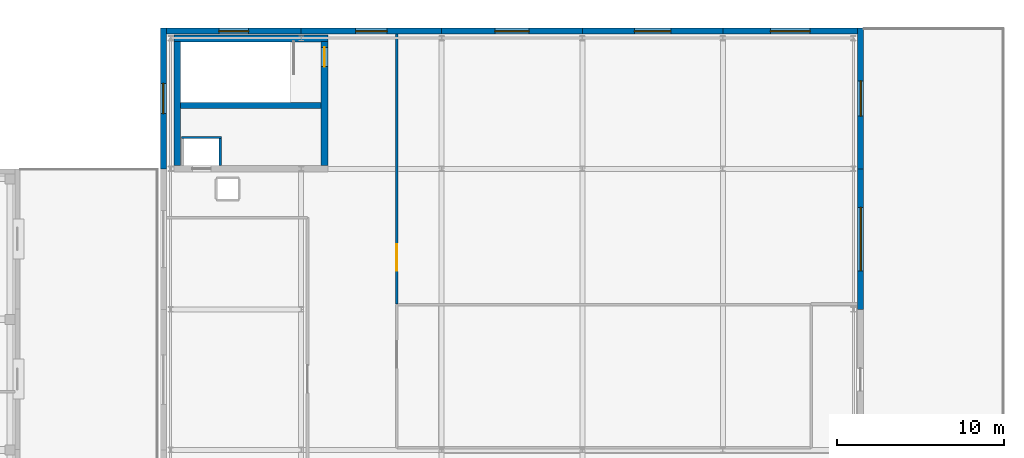
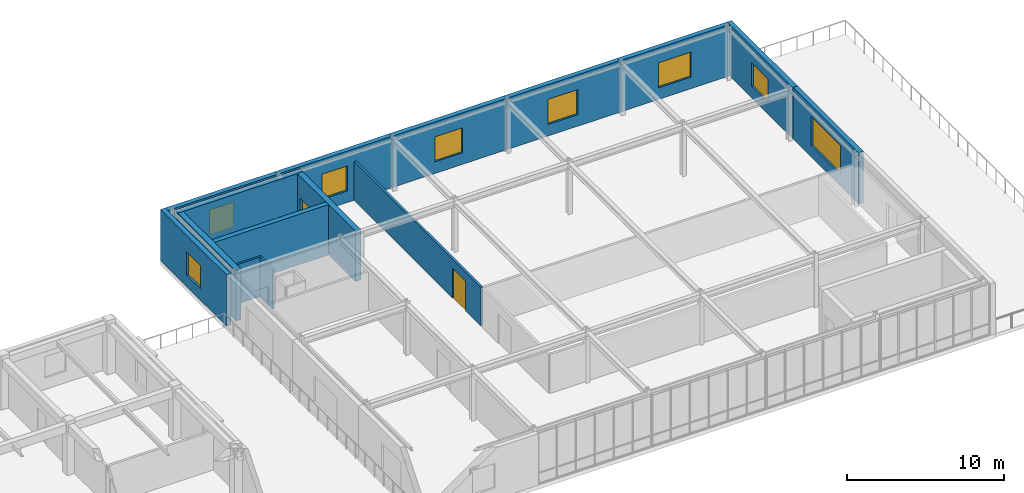
# One storey, part 113 of 127: 15 walls, 8 windows, 2 doors, 10 openings.
"""IFC4 building model written with IfcOpenShell, lengths in metres."""

from ifc_helpers import new_model, si_unit, direction, frame, frame_2d, origin, place, context, subcontext, project, spatial, rectangle, extrude, material, layer, layer_set, type_object, element, fill, save


model = new_model("IFC4")

# Units and contexts
model_context = context("Model", 3, precision=1e-05, world=origin(), true_north=direction((0.0, 1.0)))
body_context = subcontext(model_context, "Body", "Model", "MODEL_VIEW")
ifc_project = project(units=[si_unit("LENGTHUNIT", "METRE"), si_unit("AREAUNIT", "SQUARE_METRE"), si_unit("VOLUMEUNIT", "CUBIC_METRE"), si_unit("PLANEANGLEUNIT", "RADIAN"), si_unit("MASSUNIT", "GRAM", prefix="KILO")], contexts=[model_context])

# Site, building, storey
site_placement = place(None, origin())
site = spatial("IfcSite", under=ifc_project, at=site_placement, CompositionType="ELEMENT")
building_placement = place(site_placement, origin())
building = spatial("IfcBuilding", under=site, at=building_placement, Name="Zayran Congress Hotel", CompositionType="ELEMENT")
storey_placement = place(building_placement, frame((0.0, 0.0, 10.800048828125)))
storey = spatial("IfcBuildingStorey", under=building, at=storey_placement, Name="L02", CompositionType="ELEMENT", Elevation=10.800048828125)

# Wall, opening, window
ifc_material_1 = material(Name="Hajar Ma'ani limestone and insulated concrete C32/40", Category="masonry")
ifc_layer_1 = layer(ifc_material_1, 0.340087890625)
ifc_layer_set_1 = layer_set([ifc_layer_1], Name="Hajar Ma'ani limestone and insulated concrete C32/40")
wall_type_1 = type_object("IfcWallType", Name="WL-EX-340", PredefinedType="SOLIDWALL", material=ifc_layer_set_1)
wall_1_placement = place(storey_placement, frame((143.139892578125, 117.830078125, 0.0), z_axis=(0.0, 0.0, 1.0), x_axis=(1.0, 0.0, 0.0)))
wall_1 = element("IfcWall", 1, at=wall_1_placement, inside=storey, type_object=wall_type_1, Name="EW-V2-N-L02-0", PredefinedType="SOLIDWALL", context=body_context, shape_type="SweptSolid", body=[
    extrude(rectangle(XDim=8.06005859375, YDim=0.340087890625, at=frame_2d((4.030029296875, 0.0))), origin(), (0.0, 0.0, 1.0), 4.0),
])
opening_1_placement = place(wall_1_placement, frame((3.139892578125, 0.0, 0.89990234375)))
opening_1 = element("IfcOpeningElement", 2, at=opening_1_placement, cuts=wall_1, Name="Opening WN-37", PredefinedType="OPENING", context=body_context, shape_type="SweptSolid", body=[
    extrude(rectangle(XDim=1.780029296875, YDim=1.949951171875, at=frame_2d((0.89013671875, 0.97509765625))), frame((0.0, 0.179931640625, 0.0), z_axis=(0.0, -1.0, 0.0), x_axis=(1.0, 0.0, 0.0)), (0.0, 0.0, 1.0), 0.360107421875),
])
ifc_material_2 = material(Name="Anodised aluminium and low-E insulated glass", Category="aluminium")
window_type_1 = type_object("IfcWindowType", Name="TP-WN-37", PartitioningType="DOUBLE_PANEL_VERTICAL", PredefinedType="WINDOW", material=ifc_material_2)
window_1_placement = place(opening_1_placement, origin())
window_1 = element("IfcWindow", 3, at=window_1_placement, inside=storey, type_object=window_type_1, Name="WIN-V2-0043", OverallHeight=1.949951171875, OverallWidth=1.780029296875, PartitioningType="SINGLE_PANEL", PredefinedType="WINDOW", context=body_context, shape_type="SweptSolid", body=[
    extrude(rectangle(XDim=1.780029296875, YDim=1.949951171875, at=frame_2d((0.89013671875, 0.97509765625))), frame((0.0, 0.030029296875, 0.0), z_axis=(0.0, -1.0, 0.0), x_axis=(1.0, 0.0, 0.0)), (0.0, 0.0, 1.0), 0.06005859375),
])
fill(opening_1, window_1)

wall_2_placement = place(storey_placement, frame((151.199951171875, 117.830078125, 0.0), z_axis=(0.0, 0.0, 1.0), x_axis=(1.0, 0.0, 0.0)))
wall_2 = element("IfcWall", 4, at=wall_2_placement, inside=storey, type_object=wall_type_1, Name="EW-V2-N-L02-1", PredefinedType="SOLIDWALL", context=body_context, shape_type="SweptSolid", body=[
    extrude(rectangle(XDim=8.400146484375, YDim=0.340087890625, at=frame_2d((4.2001953125, 0.0))), origin(), (0.0, 0.0, 1.0), 4.0),
])
opening_2_placement = place(wall_2_placement, frame((3.260009765625, 0.0, 0.89990234375)))
opening_2 = element("IfcOpeningElement", 5, at=opening_2_placement, cuts=wall_2, Name="Opening WN-38", PredefinedType="OPENING", context=body_context, shape_type="SweptSolid", body=[
    extrude(rectangle(XDim=1.8798828125, YDim=1.949951171875, at=frame_2d((0.93994140625, 0.97509765625))), frame((0.0, 0.179931640625, 0.0), z_axis=(0.0, -1.0, 0.0), x_axis=(1.0, 0.0, 0.0)), (0.0, 0.0, 1.0), 0.360107421875),
])
window_type_2 = type_object("IfcWindowType", Name="TP-WN-38", PartitioningType="DOUBLE_PANEL_VERTICAL", PredefinedType="WINDOW", material=ifc_material_2)
window_2_placement = place(opening_2_placement, origin())
window_2 = element("IfcWindow", 6, at=window_2_placement, inside=storey, type_object=window_type_2, Name="WIN-V2-0044", OverallHeight=1.949951171875, OverallWidth=1.8798828125, PartitioningType="SINGLE_PANEL", PredefinedType="WINDOW", context=body_context, shape_type="SweptSolid", body=[
    extrude(rectangle(XDim=1.8798828125, YDim=1.949951171875, at=frame_2d((0.93994140625, 0.97509765625))), frame((0.0, 0.030029296875, 0.0), z_axis=(0.0, -1.0, 0.0), x_axis=(1.0, 0.0, 0.0)), (0.0, 0.0, 1.0), 0.06005859375),
])
fill(opening_2, window_2)

wall_3_placement = place(storey_placement, frame((159.60009765625, 117.830078125, 0.0), z_axis=(0.0, 0.0, 1.0), x_axis=(1.0, 0.0, 0.0)))
wall_3 = element("IfcWall", 7, at=wall_3_placement, inside=storey, type_object=wall_type_1, Name="EW-V2-N-L02-2", PredefinedType="SOLIDWALL", context=body_context, shape_type="SweptSolid", body=[
    extrude(rectangle(XDim=8.39990234375, YDim=0.340087890625, at=frame_2d((4.199951171875, 0.0))), origin(), (0.0, 0.0, 1.0), 4.0),
])
opening_3_placement = place(wall_3_placement, frame((3.175048828125, 0.0, 0.89990234375)))
opening_3 = element("IfcOpeningElement", 8, at=opening_3_placement, cuts=wall_3, Name="Opening WN-39", PredefinedType="OPENING", context=body_context, shape_type="SweptSolid", body=[
    extrude(rectangle(XDim=2.050048828125, YDim=1.949951171875, at=frame_2d((1.02490234375, 0.97509765625))), frame((0.0, 0.179931640625, 0.0), z_axis=(0.0, -1.0, 0.0), x_axis=(1.0, 0.0, 0.0)), (0.0, 0.0, 1.0), 0.360107421875),
])
window_type_3 = type_object("IfcWindowType", Name="TP-WN-39", PartitioningType="DOUBLE_PANEL_VERTICAL", PredefinedType="WINDOW", material=ifc_material_2)
window_3_placement = place(opening_3_placement, origin())
window_3 = element("IfcWindow", 9, at=window_3_placement, inside=storey, type_object=window_type_3, Name="WIN-V2-0045", OverallHeight=1.949951171875, OverallWidth=2.050048828125, PartitioningType="SINGLE_PANEL", PredefinedType="WINDOW", context=body_context, shape_type="SweptSolid", body=[
    extrude(rectangle(XDim=2.050048828125, YDim=1.949951171875, at=frame_2d((1.02490234375, 0.97509765625))), frame((0.0, 0.030029296875, 0.0), z_axis=(0.0, -1.0, 0.0), x_axis=(1.0, 0.0, 0.0)), (0.0, 0.0, 1.0), 0.06005859375),
])
fill(opening_3, window_3)

wall_4_placement = place(storey_placement, frame((168.0, 117.830078125, 0.0), z_axis=(0.0, 0.0, 1.0), x_axis=(1.0, 0.0, 0.0)))
wall_4 = element("IfcWall", 10, at=wall_4_placement, inside=storey, type_object=wall_type_1, Name="EW-V2-N-L02-3", PredefinedType="SOLIDWALL", context=body_context, shape_type="SweptSolid", body=[
    extrude(rectangle(XDim=8.39990234375, YDim=0.340087890625, at=frame_2d((4.199951171875, 0.0))), origin(), (0.0, 0.0, 1.0), 4.0),
])
opening_4_placement = place(wall_4_placement, frame((3.110107421875, 0.0, 0.89990234375)))
opening_4 = element("IfcOpeningElement", 11, at=opening_4_placement, cuts=wall_4, Name="Opening WN-40", PredefinedType="OPENING", context=body_context, shape_type="SweptSolid", body=[
    extrude(rectangle(XDim=2.179931640625, YDim=1.949951171875, at=frame_2d((1.08984375, 0.97509765625))), frame((0.0, 0.179931640625, 0.0), z_axis=(0.0, -1.0, 0.0), x_axis=(1.0, 0.0, 0.0)), (0.0, 0.0, 1.0), 0.360107421875),
])
window_type_4 = type_object("IfcWindowType", Name="TP-WN-40", PartitioningType="DOUBLE_PANEL_VERTICAL", PredefinedType="WINDOW", material=ifc_material_2)
window_4_placement = place(opening_4_placement, origin())
window_4 = element("IfcWindow", 12, at=window_4_placement, inside=storey, type_object=window_type_4, Name="WIN-V2-0046", OverallHeight=1.949951171875, OverallWidth=2.179931640625, PartitioningType="SINGLE_PANEL", PredefinedType="WINDOW", context=body_context, shape_type="SweptSolid", body=[
    extrude(rectangle(XDim=2.179931640625, YDim=1.949951171875, at=frame_2d((1.08984375, 0.97509765625))), frame((0.0, 0.030029296875, 0.0), z_axis=(0.0, -1.0, 0.0), x_axis=(1.0, 0.0, 0.0)), (0.0, 0.0, 1.0), 0.06005859375),
])
fill(opening_4, window_4)

wall_5_placement = place(storey_placement, frame((176.39990234375, 117.830078125, 0.0), z_axis=(0.0, 0.0, 1.0), x_axis=(1.0, 0.0, 0.0)))
wall_5 = element("IfcWall", 13, at=wall_5_placement, inside=storey, type_object=wall_type_1, Name="EW-V2-N-L02-4", PredefinedType="SOLIDWALL", context=body_context, shape_type="SweptSolid", body=[
    extrude(rectangle(XDim=8.06005859375, YDim=0.340087890625, at=frame_2d((4.030029296875, 0.0))), origin(), (0.0, 0.0, 1.0), 4.0),
])
opening_5_placement = place(wall_5_placement, frame((2.840087890625, 0.0, 0.89990234375)))
opening_5 = element("IfcOpeningElement", 14, at=opening_5_placement, cuts=wall_5, Name="Opening WN-41", PredefinedType="OPENING", context=body_context, shape_type="SweptSolid", body=[
    extrude(rectangle(XDim=2.3798828125, YDim=1.949951171875, at=frame_2d((1.18994140625, 0.97509765625))), frame((0.0, 0.179931640625, 0.0), z_axis=(0.0, -1.0, 0.0), x_axis=(1.0, 0.0, 0.0)), (0.0, 0.0, 1.0), 0.360107421875),
])
window_type_5 = type_object("IfcWindowType", Name="TP-WN-41", PartitioningType="DOUBLE_PANEL_VERTICAL", PredefinedType="WINDOW", material=ifc_material_2)
window_5_placement = place(opening_5_placement, origin())
window_5 = element("IfcWindow", 15, at=window_5_placement, inside=storey, type_object=window_type_5, Name="WIN-V2-0047", OverallHeight=1.949951171875, OverallWidth=2.3798828125, PartitioningType="SINGLE_PANEL", PredefinedType="WINDOW", context=body_context, shape_type="SweptSolid", body=[
    extrude(rectangle(XDim=2.3798828125, YDim=1.949951171875, at=frame_2d((1.18994140625, 0.97509765625))), frame((0.0, 0.030029296875, 0.0), z_axis=(0.0, -1.0, 0.0), x_axis=(1.0, 0.0, 0.0)), (0.0, 0.0, 1.0), 0.06005859375),
])
fill(opening_5, window_5)

wall_6_placement = place(storey_placement, frame((184.6298828125, 109.60009765625, 0.0), z_axis=(0.0, 0.0, 1.0), x_axis=(0.0, -1.0, 0.0)))
wall_6 = element("IfcWall", 16, at=wall_6_placement, inside=storey, type_object=wall_type_1, Name="EW-V2-E-L02-2", PredefinedType="SOLIDWALL", context=body_context, shape_type="SweptSolid", body=[
    extrude(rectangle(XDim=8.400146484375, YDim=0.340087890625, at=frame_2d((4.2001953125, 0.0))), origin(), (0.0, 0.0, 1.0), 4.0),
])
opening_6_placement = place(wall_6_placement, frame((2.300048828125, 0.0, 0.89990234375)))
opening_6 = element("IfcOpeningElement", 17, at=opening_6_placement, cuts=wall_6, Name="Opening WN-46", PredefinedType="OPENING", context=body_context, shape_type="SweptSolid", body=[
    extrude(rectangle(XDim=3.800048828125, YDim=2.25, at=frame_2d((1.89990234375, 1.125))), frame((0.0, 0.179931640625, 0.0), z_axis=(0.0, -1.0, 0.0), x_axis=(1.0, 0.0, 0.0)), (0.0, 0.0, 1.0), 0.360107421875),
])
window_type_6 = type_object("IfcWindowType", Name="TP-WN-46", PartitioningType="TRIPLE_PANEL_VERTICAL", PredefinedType="WINDOW", material=ifc_material_2)
window_6_placement = place(opening_6_placement, origin())
window_6 = element("IfcWindow", 18, at=window_6_placement, inside=storey, type_object=window_type_6, Name="WIN-V2-0053", OverallHeight=2.25, OverallWidth=3.800048828125, PartitioningType="SINGLE_PANEL", PredefinedType="WINDOW", context=body_context, shape_type="SweptSolid", body=[
    extrude(rectangle(XDim=3.800048828125, YDim=2.25, at=frame_2d((1.89990234375, 1.125))), frame((0.0, 0.030029296875, 0.0), z_axis=(0.0, -1.0, 0.0), x_axis=(1.0, 0.0, 0.0)), (0.0, 0.0, 1.0), 0.06005859375),
])
fill(opening_6, window_6)

wall_7_placement = place(storey_placement, frame((142.969970703125, 109.60009765625, 0.0), z_axis=(0.0, 0.0, 1.0), x_axis=(0.0, 1.0, 0.0)))
wall_7 = element("IfcWall", 19, at=wall_7_placement, inside=storey, type_object=wall_type_1, Name="EW-V2-W-L02-3", PredefinedType="SOLIDWALL", context=body_context, shape_type="SweptSolid", body=[
    extrude(rectangle(XDim=8.39990234375, YDim=0.340087890625, at=frame_2d((4.199951171875, 0.0))), origin(), (0.0, 0.0, 1.0), 4.0),
])
opening_7_placement = place(wall_7_placement, frame((3.300048828125, 0.0, 0.89990234375)))
opening_7 = element("IfcOpeningElement", 20, at=opening_7_placement, cuts=wall_7, Name="Opening WN-01", PredefinedType="OPENING", context=body_context, shape_type="SweptSolid", body=[
    extrude(rectangle(XDim=1.800048828125, YDim=1.800048828125, at=frame_2d((0.89990234375, 0.89990234375))), frame((0.0, 0.179931640625, 0.0), z_axis=(0.0, -1.0, 0.0), x_axis=(1.0, 0.0, 0.0)), (0.0, 0.0, 1.0), 0.360107421875),
])
window_type_7 = type_object("IfcWindowType", Name="TP-WN-01", PartitioningType="SINGLE_PANEL", PredefinedType="WINDOW", material=ifc_material_2)
window_7_placement = place(opening_7_placement, origin())
window_7 = element("IfcWindow", 21, at=window_7_placement, inside=storey, type_object=window_type_7, Name="WIN-V2-0054", OverallHeight=1.800048828125, OverallWidth=1.800048828125, PartitioningType="SINGLE_PANEL", PredefinedType="WINDOW", context=body_context, shape_type="SweptSolid", body=[
    extrude(rectangle(XDim=1.800048828125, YDim=1.800048828125, at=frame_2d((0.89990234375, 0.89990234375))), frame((0.0, 0.030029296875, 0.0), z_axis=(0.0, -1.0, 0.0), x_axis=(1.0, 0.0, 0.0)), (0.0, 0.0, 1.0), 0.06005859375),
])
fill(opening_7, window_7)

wall_8_placement = place(storey_placement, frame((184.6298828125, 118.0, 0.0), z_axis=(0.0, 0.0, 1.0), x_axis=(0.0, -1.0, 0.0)))
wall_8 = element("IfcWall", 22, at=wall_8_placement, inside=storey, type_object=wall_type_1, Name="EW-V2-E-L02-3", PredefinedType="SOLIDWALL", context=body_context, shape_type="SweptSolid", body=[
    extrude(rectangle(XDim=8.39990234375, YDim=0.340087890625, at=frame_2d((4.199951171875, 0.0))), origin(), (0.0, 0.0, 1.0), 4.0),
])
opening_8_placement = place(wall_8_placement, frame((3.14990234375, 0.0, 0.89990234375)))
opening_8 = element("IfcOpeningElement", 23, at=opening_8_placement, cuts=wall_8, Name="Opening WN-02", PredefinedType="OPENING", context=body_context, shape_type="SweptSolid", body=[
    extrude(rectangle(XDim=2.10009765625, YDim=1.800048828125, at=frame_2d((1.050048828125, 0.89990234375))), frame((0.0, 0.179931640625, 0.0), z_axis=(0.0, -1.0, 0.0), x_axis=(1.0, 0.0, 0.0)), (0.0, 0.0, 1.0), 0.360107421875),
])
window_type_8 = type_object("IfcWindowType", Name="TP-WN-02", PartitioningType="DOUBLE_PANEL_VERTICAL", PredefinedType="WINDOW", material=ifc_material_2)
window_8_placement = place(opening_8_placement, origin())
window_8 = element("IfcWindow", 24, at=window_8_placement, inside=storey, type_object=window_type_8, Name="WIN-V2-0055", OverallHeight=1.800048828125, OverallWidth=2.10009765625, PartitioningType="SINGLE_PANEL", PredefinedType="WINDOW", context=body_context, shape_type="SweptSolid", body=[
    extrude(rectangle(XDim=2.10009765625, YDim=1.800048828125, at=frame_2d((1.050048828125, 0.89990234375))), frame((0.0, 0.030029296875, 0.0), z_axis=(0.0, -1.0, 0.0), x_axis=(1.0, 0.0, 0.0)), (0.0, 0.0, 1.0), 0.06005859375),
])
fill(opening_8, window_8)

# Walls
ifc_material_3 = material(Name="Concrete C40/50", Category="concrete")
ifc_layer_2 = layer(ifc_material_3, 0.39990234375)
ifc_layer_set_2 = layer_set([ifc_layer_2], Name="Concrete C40/50")
wall_type_2 = type_object("IfcWallType", Name="WL-SH-400", PredefinedType="SHEAR", material=ifc_layer_set_2)
wall_9_placement = place(storey_placement, frame((152.800048828125, 117.385009765625, 0.0), z_axis=(0.0, 0.0, 1.0), x_axis=(-1.0, 0.0, 0.0)))
element("IfcWall", 25, at=wall_9_placement, inside=storey, type_object=wall_type_2, Name="CWALL-C-V2W-L02-N", PredefinedType="SHEAR", context=body_context, shape_type="SweptSolid", body=[
    extrude(rectangle(XDim=9.199951171875, YDim=0.39990234375, at=frame_2d((4.60009765625, 0.0))), origin(), (0.0, 0.0, 1.0), 3.919921875),
])
wall_10_placement = place(storey_placement, frame((143.800048828125, 117.199951171875, 0.0), z_axis=(0.0, 0.0, 1.0), x_axis=(0.0, -1.0, 0.0)))
element("IfcWall", 26, at=wall_10_placement, inside=storey, type_object=wall_type_2, Name="CWALL-C-V2W-L02-W", PredefinedType="SHEAR", context=body_context, shape_type="SweptSolid", body=[
    extrude(rectangle(XDim=7.39990234375, YDim=0.39990234375, at=frame_2d((3.699951171875, 0.0))), origin(), (0.0, 0.0, 1.0), 3.919921875),
])

# Wall, opening, door
wall_11_placement = place(storey_placement, frame((152.60009765625, 109.800048828125, 0.0), z_axis=(0.0, 0.0, 1.0), x_axis=(0.0, 1.0, 0.0)))
wall_11 = element("IfcWall", 27, at=wall_11_placement, inside=storey, type_object=wall_type_2, Name="CWALL-C-V2W-L02-E", PredefinedType="SHEAR", context=body_context, shape_type="SweptSolid", body=[
    extrude(rectangle(XDim=7.39990234375, YDim=0.39990234375, at=frame_2d((3.699951171875, 0.0))), origin(), (0.0, 0.0, 1.0), 3.919921875),
])
opening_9_placement = place(wall_11_placement, frame((5.89990234375, 0.0, 0.0)))
opening_9 = element("IfcOpeningElement", 28, at=opening_9_placement, cuts=wall_11, Name="Opening DR-FD-90", PredefinedType="OPENING", context=body_context, shape_type="SweptSolid", body=[
    extrude(rectangle(XDim=1.14990234375, YDim=2.199951171875, at=frame_2d((0.574951171875, 1.10009765625))), frame((0.0, 0.2099609375, 0.0), z_axis=(0.0, -1.0, 0.0), x_axis=(1.0, 0.0, 0.0)), (0.0, 0.0, 1.0), 0.419921875),
])
ifc_material_4 = material(Name="Painted steel fire door assembly", Category="steel")
door_type_1 = type_object("IfcDoorType", Name="TP-DR-FD-90", OperationType="NOTDEFINED", PredefinedType="DOOR", material=ifc_material_4)
door_1_placement = place(opening_9_placement, origin())
door_1 = element("IfcDoor", 29, at=door_1_placement, inside=storey, type_object=door_type_1, Name="ST-09 Exit Stair Door L02", OperationType="SINGLE_SWING_LEFT", OverallHeight=2.199951171875, OverallWidth=1.14990234375, PredefinedType="DOOR", context=body_context, shape_type="SweptSolid", body=[
    extrude(rectangle(XDim=1.14990234375, YDim=2.199951171875, at=frame_2d((0.574951171875, 1.10009765625))), frame((0.0, 0.02490234375, 0.0), z_axis=(0.0, -1.0, 0.0), x_axis=(1.0, 0.0, 0.0)), (0.0, 0.0, 1.0), 0.050048828125),
])
fill(opening_9, door_1)

# Wall
ifc_layer_3 = layer(ifc_material_3, 0.35009765625)
ifc_layer_set_3 = layer_set([ifc_layer_3], Name="Concrete C40/50")
wall_type_3 = type_object("IfcWallType", Name="WL-SH-350", PredefinedType="SHEAR", material=ifc_layer_set_3)
wall_12_placement = place(storey_placement, frame((144.0, 113.385009765625, 0.0), z_axis=(0.0, 0.0, 1.0), x_axis=(1.0, 0.0, 0.0)))
element("IfcWall", 30, at=wall_12_placement, inside=storey, type_object=wall_type_3, Name="CWALL-C-V2W-L02-SPN", PredefinedType="SHEAR", context=body_context, shape_type="SweptSolid", body=[
    extrude(rectangle(XDim=8.39990234375, YDim=0.35009765625, at=frame_2d((4.199951171875, 0.0))), origin(), (0.0, 0.0, 1.0), 3.919921875),
])

# Wall, opening, door
ifc_material_5 = material(Name="Acoustic twin-stud gypsum partition", Category="gypsum")
ifc_layer_4 = layer(ifc_material_5, 0.159912109375)
ifc_layer_set_4 = layer_set([ifc_layer_4], Name="Acoustic twin-stud gypsum partition")
wall_type_4 = type_object("IfcWallType", Name="WL-PT-160", PredefinedType="PARTITIONING", material=ifc_layer_set_4)
wall_13_placement = place(storey_placement, frame((156.919921875, 101.52001953125, 0.0), z_axis=(0.0, 0.0, 1.0), x_axis=(0.0, 1.0, 0.0)))
wall_13 = element("IfcWall", 31, at=wall_13_placement, inside=storey, type_object=wall_type_4, Name="IW-L02-0499", PredefinedType="PARTITIONING", context=body_context, shape_type="SweptSolid", body=[
    extrude(rectangle(XDim=16.139892578125, YDim=0.159912109375, at=frame_2d((8.06982421875, 0.0))), origin(), (0.0, 0.0, 1.0), 3.02001953125),
])
opening_10_placement = place(wall_13_placement, frame((1.97998046875, 0.0, 0.0)))
opening_10 = element("IfcOpeningElement", 32, at=opening_10_placement, cuts=wall_13, Name="Opening DR-MT-02", PredefinedType="OPENING", context=body_context, shape_type="SweptSolid", body=[
    extrude(rectangle(XDim=1.60009765625, YDim=2.300048828125, at=frame_2d((0.800048828125, 1.14990234375))), frame((0.0, 0.08984375, 0.0), z_axis=(0.0, -1.0, 0.0), x_axis=(1.0, 0.0, 0.0)), (0.0, 0.0, 1.0), 0.179931640625),
])
ifc_material_6 = material(Name="Double acoustic timber boardroom door", Category="wood")
door_type_2 = type_object("IfcDoorType", Name="TP-DR-MT-02", OperationType="DOUBLE_DOOR_SINGLE_SWING", PredefinedType="DOOR", material=ifc_material_6)
door_2_placement = place(opening_10_placement, origin())
door_2 = element("IfcDoor", 33, at=door_2_placement, inside=storey, type_object=door_type_2, Name="Executive Banquet Salon North Door", OperationType="DOUBLE_DOOR_SINGLE_SWING", OverallHeight=2.300048828125, OverallWidth=1.60009765625, PredefinedType="DOOR", context=body_context, shape_type="SweptSolid", body=[
    extrude(rectangle(XDim=1.60009765625, YDim=2.300048828125, at=frame_2d((0.800048828125, 1.14990234375))), frame((0.0, 0.02490234375, 0.0), z_axis=(0.0, -1.0, 0.0), x_axis=(1.0, 0.0, 0.0)), (0.0, 0.0, 1.0), 0.050048828125),
])
fill(opening_10, door_2)

# Walls
ifc_material_7 = material(Name="Hospitality guestroom acoustic partition", Category="gypsum")
ifc_layer_5 = layer(ifc_material_7, 0.139892578125)
ifc_layer_set_5 = layer_set([ifc_layer_5], Name="Hospitality guestroom acoustic partition")
wall_type_5 = type_object("IfcWallType", Name="WL-PT-140", PredefinedType="PARTITIONING", material=ifc_layer_set_5)
wall_14_placement = place(storey_placement, frame((146.3701171875, 109.800048828125, 0.0), z_axis=(0.0, 0.0, 1.0), x_axis=(0.0, 1.0, 0.0)))
element("IfcWall", 34, at=wall_14_placement, inside=storey, type_object=wall_type_5, Name="LSHW-C-V2W-L02-E", PredefinedType="PARTITIONING", context=body_context, shape_type="SweptSolid", body=[
    extrude(rectangle(XDim=1.599853515625, YDim=0.139892578125, at=frame_2d((0.7998046875, 0.0))), origin(), (0.0, 0.0, 1.0), 3.070068359375),
])
wall_15_placement = place(storey_placement, frame((144.06005859375, 111.469970703125, 0.0), z_axis=(0.0, 0.0, 1.0), x_axis=(1.0, 0.0, 0.0)))
element("IfcWall", 35, at=wall_15_placement, inside=storey, type_object=wall_type_5, Name="LSHW-C-V2W-L02-N", PredefinedType="PARTITIONING", context=body_context, shape_type="SweptSolid", body=[
    extrude(rectangle(XDim=2.3798828125, YDim=0.139892578125, at=frame_2d((1.18994140625, 0.0))), origin(), (0.0, 0.0, 1.0), 3.070068359375),
])

save(model, "model.ifc")
